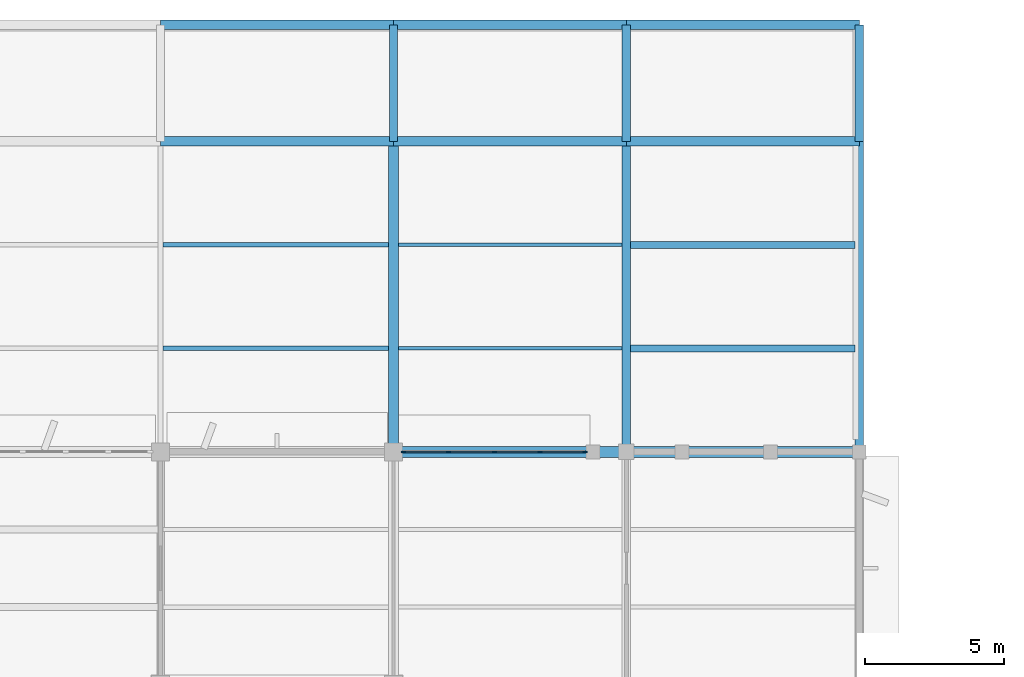
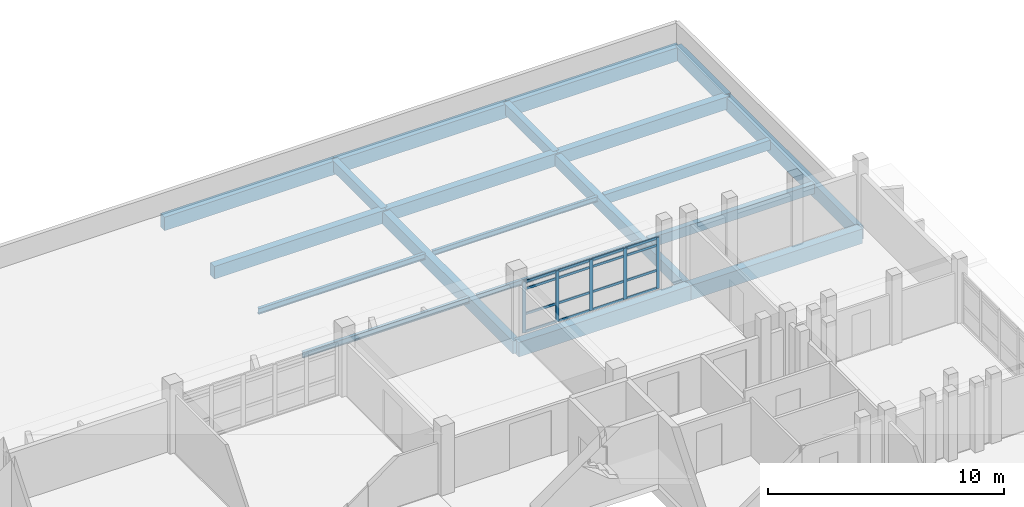
# One storey, part 41 of 92: 21 members, 20 beams, 1 element without a shape of its own.
"""IFC4 building model written with IfcOpenShell, lengths in metres."""

from ifc_helpers import new_model, si_unit, direction, frame, origin, origin_2d, place, context, subcontext, project, spatial, rectangle, i_section, extrude, material, material_profile, profile_set, type_object, element, aggregate, save


model = new_model("IFC4")

# Units and contexts
model_context = context("Model", 3, precision=1e-05, world=origin(), true_north=direction((0.0, 1.0)))
body_context = subcontext(model_context, "Body", "Model", "MODEL_VIEW")
ifc_project = project(units=[si_unit("LENGTHUNIT", "METRE"), si_unit("AREAUNIT", "SQUARE_METRE"), si_unit("VOLUMEUNIT", "CUBIC_METRE"), si_unit("PLANEANGLEUNIT", "RADIAN"), si_unit("MASSUNIT", "GRAM", prefix="KILO")], contexts=[model_context])

# Site, building, storey
site_placement = place(None, origin())
site = spatial("IfcSite", under=ifc_project, at=site_placement, CompositionType="ELEMENT")
building_placement = place(site_placement, origin())
building = spatial("IfcBuilding", under=site, at=building_placement, Name="Vanh Quang Courtyard School", CompositionType="ELEMENT")
storey_placement = place(building_placement, frame((0.0, 0.0, 7.800048828125)))
storey = spatial("IfcBuildingStorey", under=building, at=storey_placement, Name="L02", CompositionType="ELEMENT", Elevation=7.800048828125)

# Beams
ifc_material_1 = material(Name="Concrete C35/45", Category="concrete")
ifc_material_profile_1 = material_profile(ifc_material_1, rectangle(XDim=0.300048828125, YDim=0.550048828125, at=origin_2d()), Name="RC-BM 300x550")
ifc_profile_set_1 = profile_set([ifc_material_profile_1], Name="Concrete C35/45")
beam_type_1 = type_object("IfcBeamType", Name="BM-RC-300x550", PredefinedType="BEAM", material=ifc_profile_set_1)
for number, where, z_axis, x_axis, name in (
    (1, (102.60009765625, 107.800048828125, -0.4951171875), (0.0, 1.0, 0.0), (-1.0, 0.0, 0.0), "Beam B-07 (L02)"),
    (2, (111.0, 107.800048828125, -0.4951171875), (0.0, 1.0, 0.0), (-1.0, 0.0, 0.0), "Beam B-07 (L02)"),
):
    element("IfcBeam", number, at=place(storey_placement, frame(where, z_axis=z_axis, x_axis=x_axis)), inside=storey, type_object=beam_type_1, Name=name, PredefinedType="BEAM", context=body_context, shape_type="SweptSolid", body=[
        extrude(rectangle(XDim=0.300048828125, YDim=0.550048828125, at=origin_2d()), origin(), (0.0, 0.0, 1.0), 4.199951171875),
    ])
ifc_material_profile_2 = material_profile(ifc_material_1, rectangle(XDim=0.300048828125, YDim=0.60009765625, at=origin_2d()), Name="RC-BM 300x600")
ifc_profile_set_2 = profile_set([ifc_material_profile_2], Name="Concrete C35/45")
beam_type_2 = type_object("IfcBeamType", Name="BM-RC-300x600", PredefinedType="BEAM", material=ifc_profile_set_2)
beam_1_placement = place(storey_placement, frame((111.0, 96.60009765625, -0.580078125), z_axis=(0.0, 1.0, 0.0), x_axis=(-1.0, 0.0, 0.0)))
element("IfcBeam", 3, at=beam_1_placement, inside=storey, type_object=beam_type_2, Name="Beam B-06 (L02)", PredefinedType="BEAM", context=body_context, shape_type="SweptSolid", body=[
    extrude(rectangle(XDim=0.300048828125, YDim=0.60009765625, at=origin_2d()), origin(), (0.0, 0.0, 1.0), 11.199951171875),
])
ifc_material_profile_3 = material_profile(ifc_material_1, rectangle(XDim=0.35009765625, YDim=0.64990234375, at=origin_2d()), Name="RC-BM 350x650")
ifc_profile_set_3 = profile_set([ifc_material_profile_3], Name="Concrete C35/45")
beam_type_3 = type_object("IfcBeamType", Name="BM-RC-350x650", PredefinedType="BEAM", material=ifc_profile_set_3)
beam_2_placement = place(storey_placement, frame((94.199951171875, 107.800048828125, -0.545166015625), z_axis=(1.0, 0.0, 0.0), x_axis=(0.0, 1.0, 0.0)))
element("IfcBeam", 4, at=beam_2_placement, inside=storey, type_object=beam_type_3, Name="Beam B-05 (L02)", PredefinedType="BEAM", context=body_context, shape_type="SweptSolid", body=[
    extrude(rectangle(XDim=0.35009765625, YDim=0.64990234375, at=origin_2d()), origin(), (0.0, 0.0, 1.0), 8.400146484375),
])
for number, where, z_axis, x_axis, name in (
    (5, (102.60009765625, 107.800048828125, -0.545166015625), (1.0, 0.0, 0.0), (0.0, 1.0, 0.0), "Beam B-05 (L02)"),
    (6, (111.0, 107.800048828125, -0.545166015625), (1.0, 0.0, 0.0), (0.0, 1.0, 0.0), "Beam B-05 (L02)"),
):
    element("IfcBeam", number, at=place(storey_placement, frame(where, z_axis=z_axis, x_axis=x_axis)), inside=storey, type_object=beam_type_3, Name=name, PredefinedType="BEAM", context=body_context, shape_type="SweptSolid", body=[
        extrude(rectangle(XDim=0.35009765625, YDim=0.64990234375, at=origin_2d()), origin(), (0.0, 0.0, 1.0), 8.39990234375),
    ])
beam_3_placement = place(storey_placement, frame((102.60009765625, 96.60009765625, -0.60498046875), z_axis=(0.0, 1.0, 0.0), x_axis=(-1.0, 0.0, 0.0)))
element("IfcBeam", 7, at=beam_3_placement, inside=storey, type_object=beam_type_3, Name="Beam B-05 (L02)", PredefinedType="BEAM", context=body_context, shape_type="SweptSolid", body=[
    extrude(rectangle(XDim=0.35009765625, YDim=0.64990234375, at=origin_2d()), origin(), (0.0, 0.0, 1.0), 11.199951171875),
])
ifc_material_profile_4 = material_profile(ifc_material_1, rectangle(XDim=0.35009765625, YDim=0.699951171875, at=origin_2d()), Name="RC-BM 350x700")
ifc_profile_set_4 = profile_set([ifc_material_profile_4], Name="Concrete C35/45")
beam_type_4 = type_object("IfcBeamType", Name="BM-RC-350x700", PredefinedType="BEAM", material=ifc_profile_set_4)
beam_4_placement = place(storey_placement, frame((94.199951171875, 112.0, -0.570068359375), z_axis=(1.0, 0.0, 0.0), x_axis=(0.0, 1.0, 0.0)))
element("IfcBeam", 8, at=beam_4_placement, inside=storey, type_object=beam_type_4, Name="Beam B-04 (L02)", PredefinedType="BEAM", context=body_context, shape_type="SweptSolid", body=[
    extrude(rectangle(XDim=0.35009765625, YDim=0.699951171875, at=origin_2d()), origin(), (0.0, 0.0, 1.0), 8.400146484375),
])
for number, where, z_axis, x_axis, name in (
    (9, (102.60009765625, 112.0, -0.570068359375), (1.0, 0.0, 0.0), (0.0, 1.0, 0.0), "Beam B-04 (L02)"),
    (10, (111.0, 112.0, -0.570068359375), (1.0, 0.0, 0.0), (0.0, 1.0, 0.0), "Beam B-04 (L02)"),
):
    element("IfcBeam", number, at=place(storey_placement, frame(where, z_axis=z_axis, x_axis=x_axis)), inside=storey, type_object=beam_type_4, Name=name, PredefinedType="BEAM", context=body_context, shape_type="SweptSolid", body=[
        extrude(rectangle(XDim=0.35009765625, YDim=0.699951171875, at=origin_2d()), origin(), (0.0, 0.0, 1.0), 8.39990234375),
    ])
ifc_material_profile_5 = material_profile(ifc_material_1, rectangle(XDim=0.39990234375, YDim=0.75, at=origin_2d()), Name="RC-BM 400x750")
ifc_profile_set_5 = profile_set([ifc_material_profile_5], Name="Concrete C35/45")
beam_type_5 = type_object("IfcBeamType", Name="BM-RC-400x750", PredefinedType="BEAM", material=ifc_profile_set_5)
for number, where, z_axis, x_axis, name in (
    (11, (102.60009765625, 96.60009765625, -0.655029296875), (1.0, 0.0, 0.0), (0.0, 1.0, 0.0), "Beam B-03 (L02)"),
    (12, (111.0, 96.60009765625, -0.655029296875), (1.0, 0.0, 0.0), (0.0, 1.0, 0.0), "Beam B-03 (L02)"),
):
    element("IfcBeam", number, at=place(storey_placement, frame(where, z_axis=z_axis, x_axis=x_axis)), inside=storey, type_object=beam_type_5, Name=name, PredefinedType="BEAM", context=body_context, shape_type="SweptSolid", body=[
        extrude(rectangle(XDim=0.39990234375, YDim=0.75, at=origin_2d()), origin(), (0.0, 0.0, 1.0), 8.39990234375),
    ])
ifc_material_profile_6 = material_profile(ifc_material_1, rectangle(XDim=0.300048828125, YDim=0.699951171875, at=origin_2d()), Name="RC-SP 300x700")
ifc_profile_set_6 = profile_set([ifc_material_profile_6], Name="Concrete C35/45")
beam_type_6 = type_object("IfcBeamType", Name="BM-SP-300x700", PredefinedType="SPANDREL", material=ifc_profile_set_6)
beam_5_placement = place(storey_placement, frame((119.39990234375, 96.60009765625, -0.630126953125), z_axis=(0.0, 1.0, 0.0), x_axis=(-1.0, 0.0, 0.0)))
element("IfcBeam", 13, at=beam_5_placement, inside=storey, type_object=beam_type_6, Name="Beam BS-01 (L02)", PredefinedType="SPANDREL", context=body_context, shape_type="SweptSolid", body=[
    extrude(rectangle(XDim=0.300048828125, YDim=0.699951171875, at=origin_2d()), origin(), (0.0, 0.0, 1.0), 11.199951171875),
])
beam_6_placement = place(storey_placement, frame((119.39990234375, 107.800048828125, -0.570068359375), z_axis=(0.0, 1.0, 0.0), x_axis=(-1.0, 0.0, 0.0)))
element("IfcBeam", 14, at=beam_6_placement, inside=storey, type_object=beam_type_6, Name="Beam BS-01 (L02)", PredefinedType="SPANDREL", context=body_context, shape_type="SweptSolid", body=[
    extrude(rectangle(XDim=0.300048828125, YDim=0.699951171875, at=origin_2d()), origin(), (0.0, 0.0, 1.0), 4.199951171875),
])

# Curtain wall, members
ifc_material_2 = material(Name="Thermally broken aluminium unitised curtain wall", Category="aluminium")
curtain_wall_type = type_object("IfcCurtainWallType", Name="CW-SYS-49", PredefinedType="NOTDEFINED", material=ifc_material_2)
curtain_wall_placement = place(storey_placement, origin())
curtain_wall = element("IfcCurtainWall", 15, at=curtain_wall_placement, inside=storey, type_object=curtain_wall_type, Name="Curtain Wall CW-49 (L02)", PredefinedType="NOTDEFINED")
ifc_material_3 = material(Name="Anodised aluminium 6063-T6", Category="aluminium")
ifc_material_profile_7 = material_profile(ifc_material_3, rectangle(XDim=0.06005859375, YDim=0.159912109375, at=origin_2d()), Name="ALU-MUL 60x160")
ifc_profile_set_7 = profile_set([ifc_material_profile_7], Name="Anodised aluminium 6063-T6")
member_type_1 = type_object("IfcMemberType", Name="CW-MUL-60x160", PredefinedType="MULLION", material=ifc_profile_set_7)
member_1_placement = place(storey_placement, frame((102.962890625, 96.60009765625, 0.0), z_axis=(0.0, 0.0, 1.0), x_axis=(0.0, 1.0, 0.0)))
member_1 = element("IfcMember", 16, at=member_1_placement, type_object=member_type_1, Name="CW-49 mullion 1", PredefinedType="MULLION", context=body_context, shape_type="SweptSolid", body=[
    extrude(rectangle(XDim=0.06005859375, YDim=0.159912109375, at=origin_2d()), origin(), (0.0, 0.0, 1.0), 2.639892578125),
])
member_2_placement = place(storey_placement, frame((104.585205078125, 96.60009765625, 0.0), z_axis=(0.0, 0.0, 1.0), x_axis=(0.0, 1.0, 0.0)))
member_2 = element("IfcMember", 17, at=member_2_placement, type_object=member_type_1, Name="CW-49 mullion 2", PredefinedType="MULLION", context=body_context, shape_type="SweptSolid", body=[
    extrude(rectangle(XDim=0.06005859375, YDim=0.159912109375, at=origin_2d()), origin(), (0.0, 0.0, 1.0), 2.639892578125),
])
member_3_placement = place(storey_placement, frame((106.237548828125, 96.60009765625, 0.0), z_axis=(0.0, 0.0, 1.0), x_axis=(0.0, 1.0, 0.0)))
member_3 = element("IfcMember", 18, at=member_3_placement, type_object=member_type_1, Name="CW-49 mullion 3", PredefinedType="MULLION", context=body_context, shape_type="SweptSolid", body=[
    extrude(rectangle(XDim=0.06005859375, YDim=0.159912109375, at=origin_2d()), origin(), (0.0, 0.0, 1.0), 2.639892578125),
])
member_4_placement = place(storey_placement, frame((107.8896484375, 96.60009765625, 0.0), z_axis=(0.0, 0.0, 1.0), x_axis=(0.0, 1.0, 0.0)))
member_4 = element("IfcMember", 19, at=member_4_placement, type_object=member_type_1, Name="CW-49 mullion 4", PredefinedType="MULLION", context=body_context, shape_type="SweptSolid", body=[
    extrude(rectangle(XDim=0.06005859375, YDim=0.159912109375, at=origin_2d()), origin(), (0.0, 0.0, 1.0), 2.639892578125),
])
member_5_placement = place(storey_placement, frame((109.511962890625, 96.60009765625, 0.0), z_axis=(0.0, 0.0, 1.0), x_axis=(0.0, 1.0, 0.0)))
member_5 = element("IfcMember", 20, at=member_5_placement, type_object=member_type_1, Name="CW-49 mullion 5", PredefinedType="MULLION", context=body_context, shape_type="SweptSolid", body=[
    extrude(rectangle(XDim=0.06005859375, YDim=0.159912109375, at=origin_2d()), origin(), (0.0, 0.0, 1.0), 2.639892578125),
])
ifc_material_profile_8 = material_profile(ifc_material_3, rectangle(XDim=0.06005859375, YDim=0.1201171875, at=origin_2d()), Name="ALU-TRN 60x120")
ifc_profile_set_8 = profile_set([ifc_material_profile_8], Name="Anodised aluminium 6063-T6")
member_type_2 = type_object("IfcMemberType", Name="CW-TRN-60x120", PredefinedType="USERDEFINED", material=ifc_profile_set_8)
member_6_placement = place(storey_placement, frame((102.992919921875, 96.60009765625, 0.030029296875), z_axis=(1.0, 0.0, 0.0), x_axis=(0.0, 1.0, 0.0)))
member_6 = element("IfcMember", 21, at=member_6_placement, type_object=member_type_2, Name="CW-49 transom 1.1", ObjectType="TRANSOM", PredefinedType="USERDEFINED", context=body_context, shape_type="SweptSolid", body=[
    extrude(rectangle(XDim=0.06005859375, YDim=0.1201171875, at=origin_2d()), origin(), (0.0, 0.0, 1.0), 1.562255859375),
])
member_7_placement = place(storey_placement, frame((102.992919921875, 96.60009765625, 0.949951171875), z_axis=(1.0, 0.0, 0.0), x_axis=(0.0, 1.0, 0.0)))
member_7 = element("IfcMember", 22, at=member_7_placement, type_object=member_type_2, Name="CW-49 transom 1.2", ObjectType="TRANSOM", PredefinedType="USERDEFINED", context=body_context, shape_type="SweptSolid", body=[
    extrude(rectangle(XDim=0.06005859375, YDim=0.1201171875, at=origin_2d()), origin(), (0.0, 0.0, 1.0), 1.562255859375),
])
member_8_placement = place(storey_placement, frame((102.992919921875, 96.60009765625, 2.25), z_axis=(1.0, 0.0, 0.0), x_axis=(0.0, 1.0, 0.0)))
member_8 = element("IfcMember", 23, at=member_8_placement, type_object=member_type_2, Name="CW-49 transom 1.3", ObjectType="TRANSOM", PredefinedType="USERDEFINED", context=body_context, shape_type="SweptSolid", body=[
    extrude(rectangle(XDim=0.06005859375, YDim=0.1201171875, at=origin_2d()), origin(), (0.0, 0.0, 1.0), 1.562255859375),
])
member_9_placement = place(storey_placement, frame((102.992919921875, 96.60009765625, 2.60986328125), z_axis=(1.0, 0.0, 0.0), x_axis=(0.0, 1.0, 0.0)))
member_9 = element("IfcMember", 24, at=member_9_placement, type_object=member_type_2, Name="CW-49 transom 1.4", ObjectType="TRANSOM", PredefinedType="USERDEFINED", context=body_context, shape_type="SweptSolid", body=[
    extrude(rectangle(XDim=0.06005859375, YDim=0.1201171875, at=origin_2d()), origin(), (0.0, 0.0, 1.0), 1.562255859375),
])
member_10_placement = place(storey_placement, frame((104.615234375, 96.60009765625, 0.030029296875), z_axis=(1.0, 0.0, 0.0), x_axis=(0.0, 1.0, 0.0)))
member_10 = element("IfcMember", 25, at=member_10_placement, type_object=member_type_2, Name="CW-49 transom 2.1", ObjectType="TRANSOM", PredefinedType="USERDEFINED", context=body_context, shape_type="SweptSolid", body=[
    extrude(rectangle(XDim=0.06005859375, YDim=0.1201171875, at=origin_2d()), origin(), (0.0, 0.0, 1.0), 1.59228515625),
])
member_11_placement = place(storey_placement, frame((104.615234375, 96.60009765625, 0.949951171875), z_axis=(1.0, 0.0, 0.0), x_axis=(0.0, 1.0, 0.0)))
member_11 = element("IfcMember", 26, at=member_11_placement, type_object=member_type_2, Name="CW-49 transom 2.2", ObjectType="TRANSOM", PredefinedType="USERDEFINED", context=body_context, shape_type="SweptSolid", body=[
    extrude(rectangle(XDim=0.06005859375, YDim=0.1201171875, at=origin_2d()), origin(), (0.0, 0.0, 1.0), 1.59228515625),
])
member_12_placement = place(storey_placement, frame((104.615234375, 96.60009765625, 2.25), z_axis=(1.0, 0.0, 0.0), x_axis=(0.0, 1.0, 0.0)))
member_12 = element("IfcMember", 27, at=member_12_placement, type_object=member_type_2, Name="CW-49 transom 2.3", ObjectType="TRANSOM", PredefinedType="USERDEFINED", context=body_context, shape_type="SweptSolid", body=[
    extrude(rectangle(XDim=0.06005859375, YDim=0.1201171875, at=origin_2d()), origin(), (0.0, 0.0, 1.0), 1.59228515625),
])
member_13_placement = place(storey_placement, frame((104.615234375, 96.60009765625, 2.60986328125), z_axis=(1.0, 0.0, 0.0), x_axis=(0.0, 1.0, 0.0)))
member_13 = element("IfcMember", 28, at=member_13_placement, type_object=member_type_2, Name="CW-49 transom 2.4", ObjectType="TRANSOM", PredefinedType="USERDEFINED", context=body_context, shape_type="SweptSolid", body=[
    extrude(rectangle(XDim=0.06005859375, YDim=0.1201171875, at=origin_2d()), origin(), (0.0, 0.0, 1.0), 1.59228515625),
])
member_14_placement = place(storey_placement, frame((106.267578125, 96.60009765625, 0.030029296875), z_axis=(1.0, 0.0, 0.0), x_axis=(0.0, 1.0, 0.0)))
member_14 = element("IfcMember", 29, at=member_14_placement, type_object=member_type_2, Name="CW-49 transom 3.1", ObjectType="TRANSOM", PredefinedType="USERDEFINED", context=body_context, shape_type="SweptSolid", body=[
    extrude(rectangle(XDim=0.06005859375, YDim=0.1201171875, at=origin_2d()), origin(), (0.0, 0.0, 1.0), 1.59228515625),
])
member_15_placement = place(storey_placement, frame((106.267578125, 96.60009765625, 0.949951171875), z_axis=(1.0, 0.0, 0.0), x_axis=(0.0, 1.0, 0.0)))
member_15 = element("IfcMember", 30, at=member_15_placement, type_object=member_type_2, Name="CW-49 transom 3.2", ObjectType="TRANSOM", PredefinedType="USERDEFINED", context=body_context, shape_type="SweptSolid", body=[
    extrude(rectangle(XDim=0.06005859375, YDim=0.1201171875, at=origin_2d()), origin(), (0.0, 0.0, 1.0), 1.59228515625),
])
member_16_placement = place(storey_placement, frame((106.267578125, 96.60009765625, 2.25), z_axis=(1.0, 0.0, 0.0), x_axis=(0.0, 1.0, 0.0)))
member_16 = element("IfcMember", 31, at=member_16_placement, type_object=member_type_2, Name="CW-49 transom 3.3", ObjectType="TRANSOM", PredefinedType="USERDEFINED", context=body_context, shape_type="SweptSolid", body=[
    extrude(rectangle(XDim=0.06005859375, YDim=0.1201171875, at=origin_2d()), origin(), (0.0, 0.0, 1.0), 1.59228515625),
])
member_17_placement = place(storey_placement, frame((106.267578125, 96.60009765625, 2.60986328125), z_axis=(1.0, 0.0, 0.0), x_axis=(0.0, 1.0, 0.0)))
member_17 = element("IfcMember", 32, at=member_17_placement, type_object=member_type_2, Name="CW-49 transom 3.4", ObjectType="TRANSOM", PredefinedType="USERDEFINED", context=body_context, shape_type="SweptSolid", body=[
    extrude(rectangle(XDim=0.06005859375, YDim=0.1201171875, at=origin_2d()), origin(), (0.0, 0.0, 1.0), 1.59228515625),
])
member_18_placement = place(storey_placement, frame((107.919677734375, 96.60009765625, 0.030029296875), z_axis=(1.0, 0.0, 0.0), x_axis=(0.0, 1.0, 0.0)))
member_18 = element("IfcMember", 33, at=member_18_placement, type_object=member_type_2, Name="CW-49 transom 4.1", ObjectType="TRANSOM", PredefinedType="USERDEFINED", context=body_context, shape_type="SweptSolid", body=[
    extrude(rectangle(XDim=0.06005859375, YDim=0.1201171875, at=origin_2d()), origin(), (0.0, 0.0, 1.0), 1.562255859375),
])
member_19_placement = place(storey_placement, frame((107.919677734375, 96.60009765625, 0.949951171875), z_axis=(1.0, 0.0, 0.0), x_axis=(0.0, 1.0, 0.0)))
member_19 = element("IfcMember", 34, at=member_19_placement, type_object=member_type_2, Name="CW-49 transom 4.2", ObjectType="TRANSOM", PredefinedType="USERDEFINED", context=body_context, shape_type="SweptSolid", body=[
    extrude(rectangle(XDim=0.06005859375, YDim=0.1201171875, at=origin_2d()), origin(), (0.0, 0.0, 1.0), 1.562255859375),
])
member_20_placement = place(storey_placement, frame((107.919677734375, 96.60009765625, 2.25), z_axis=(1.0, 0.0, 0.0), x_axis=(0.0, 1.0, 0.0)))
member_20 = element("IfcMember", 35, at=member_20_placement, type_object=member_type_2, Name="CW-49 transom 4.3", ObjectType="TRANSOM", PredefinedType="USERDEFINED", context=body_context, shape_type="SweptSolid", body=[
    extrude(rectangle(XDim=0.06005859375, YDim=0.1201171875, at=origin_2d()), origin(), (0.0, 0.0, 1.0), 1.562255859375),
])
member_21_placement = place(storey_placement, frame((107.919677734375, 96.60009765625, 2.60986328125), z_axis=(1.0, 0.0, 0.0), x_axis=(0.0, 1.0, 0.0)))
member_21 = element("IfcMember", 36, at=member_21_placement, type_object=member_type_2, Name="CW-49 transom 4.4", ObjectType="TRANSOM", PredefinedType="USERDEFINED", context=body_context, shape_type="SweptSolid", body=[
    extrude(rectangle(XDim=0.06005859375, YDim=0.1201171875, at=origin_2d()), origin(), (0.0, 0.0, 1.0), 1.562255859375),
])
aggregate(curtain_wall, [member_1, member_2, member_3, member_4, member_5, member_6, member_7, member_8, member_9, member_10, member_11, member_12, member_13, member_14, member_15, member_16, member_17, member_18, member_19, member_20, member_21])

# Beams
ifc_material_4 = material(Name="Concrete C30/37", Category="concrete")
ifc_material_profile_9 = material_profile(ifc_material_4, rectangle(XDim=0.25, YDim=0.5, at=origin_2d()), Name="RC-JST 250x500")
ifc_profile_set_9 = profile_set([ifc_material_profile_9], Name="Concrete C30/37")
beam_type_7 = type_object("IfcBeamType", Name="JST-RC-250x500", PredefinedType="JOIST", material=ifc_profile_set_9)
for number, where, z_axis, x_axis, name in (
    (37, (111.14990234375, 100.333251953125, -0.469970703125), (1.0, 0.0, 0.0), (0.0, 1.0, 0.0), "Beam BJ-01 (L02)"),
    (38, (111.14990234375, 104.066650390625, -0.469970703125), (1.0, 0.0, 0.0), (0.0, 1.0, 0.0), "Beam BJ-01 (L02)"),
):
    element("IfcBeam", number, at=place(storey_placement, frame(where, z_axis=z_axis, x_axis=x_axis)), inside=storey, type_object=beam_type_7, Name=name, PredefinedType="JOIST", context=body_context, shape_type="SweptSolid", body=[
        extrude(rectangle(XDim=0.25, YDim=0.5, at=origin_2d()), origin(), (0.0, 0.0, 1.0), 8.10009765625),
    ])
ifc_material_5 = material(Name="Structural steel EN 10025-2 S355J2", Category="steel")
ifc_material_profile_10 = material_profile(ifc_material_5, i_section(OverallWidth=0.135009765625, OverallDepth=0.27001953125, WebThickness=0.006591796875, FlangeThickness=0.01025390625, FilletRadius=0.014892578125, at=origin_2d()), Name="IPE 270")
ifc_profile_set_10 = profile_set([ifc_material_profile_10], Name="Structural steel EN 10025-2 S355J2")
beam_type_8 = type_object("IfcBeamType", Name="JST-STL-IPE270", PredefinedType="JOIST", material=ifc_profile_set_10)
for number, where, z_axis, x_axis, name in (
    (39, (102.77490234375, 100.333251953125, -0.35498046875), (1.0, 0.0, 0.0), (0.0, 1.0, 0.0), "Beam SJ-03 (L02)"),
    (40, (102.77490234375, 104.066650390625, -0.35498046875), (1.0, 0.0, 0.0), (0.0, 1.0, 0.0), "Beam SJ-03 (L02)"),
):
    element("IfcBeam", number, at=place(storey_placement, frame(where, z_axis=z_axis, x_axis=x_axis)), inside=storey, type_object=beam_type_8, Name=name, PredefinedType="JOIST", context=body_context, shape_type="SweptSolid", body=[
        extrude(i_section(OverallWidth=0.135009765625, OverallDepth=0.27001953125, WebThickness=0.006591796875, FlangeThickness=0.01025390625, FilletRadius=0.014892578125, at=origin_2d()), origin(), (0.0, 0.0, 1.0), 8.0751953125),
    ])
ifc_material_profile_11 = material_profile(ifc_material_5, i_section(OverallWidth=0.14990234375, OverallDepth=0.300048828125, WebThickness=0.007080078125, FlangeThickness=0.0107421875, FilletRadius=0.014892578125, at=origin_2d()), Name="IPE 300")
ifc_profile_set_11 = profile_set([ifc_material_profile_11], Name="Structural steel EN 10025-2 S355J2")
beam_type_9 = type_object("IfcBeamType", Name="JST-STL-IPE300", PredefinedType="JOIST", material=ifc_profile_set_11)
for number, where, z_axis, x_axis, name in (
    (41, (94.284912109375, 100.333251953125, -0.3701171875), (1.0, 0.0, 0.0), (0.0, 1.0, 0.0), "Beam SJ-02 (L02)"),
    (42, (94.284912109375, 104.066650390625, -0.3701171875), (1.0, 0.0, 0.0), (0.0, 1.0, 0.0), "Beam SJ-02 (L02)"),
):
    element("IfcBeam", number, at=place(storey_placement, frame(where, z_axis=z_axis, x_axis=x_axis)), inside=storey, type_object=beam_type_9, Name=name, PredefinedType="JOIST", context=body_context, shape_type="SweptSolid", body=[
        extrude(i_section(OverallWidth=0.14990234375, OverallDepth=0.300048828125, WebThickness=0.007080078125, FlangeThickness=0.0107421875, FilletRadius=0.014892578125, at=origin_2d()), origin(), (0.0, 0.0, 1.0), 8.14013671875),
    ])

save(model, "model.ifc")
